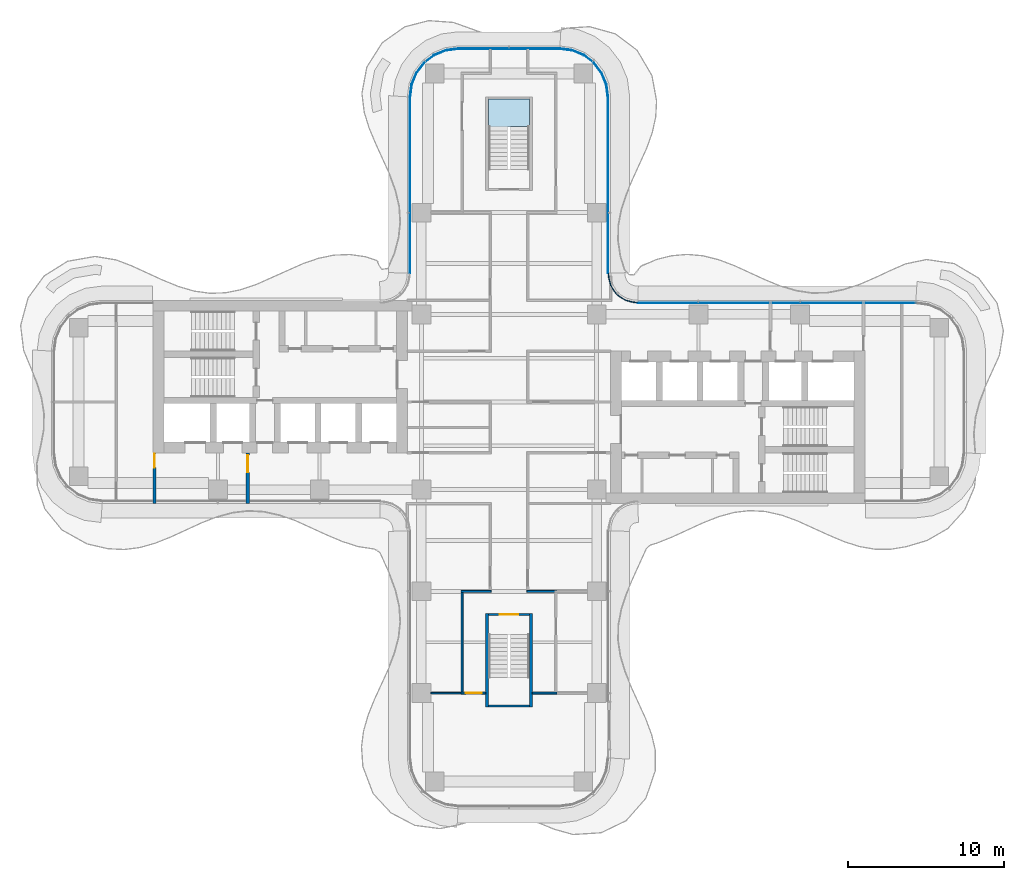
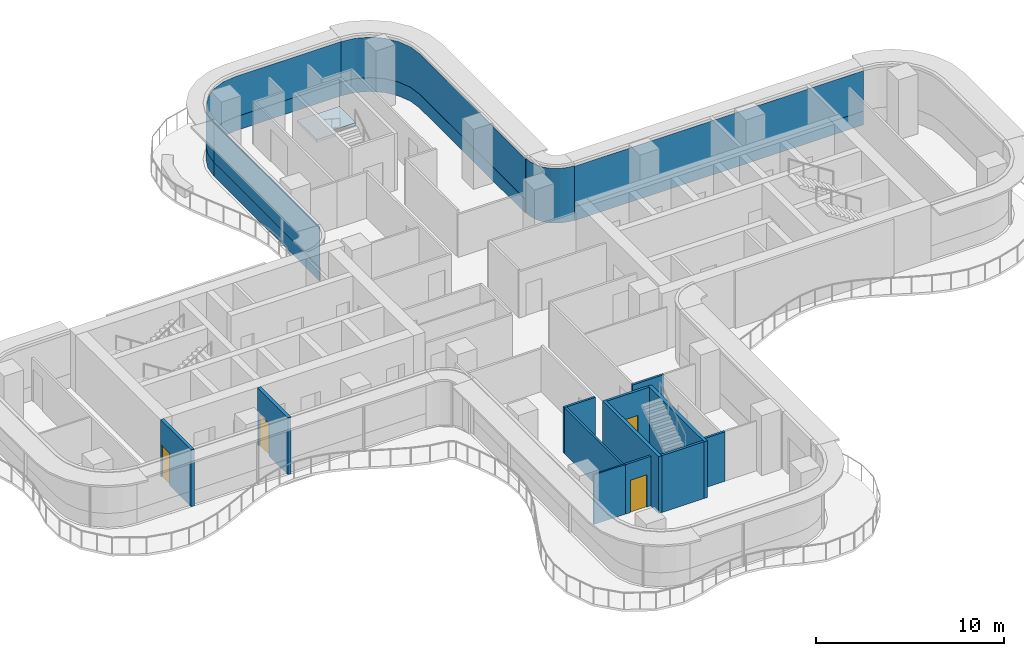
# One storey, part 12 of 18: 12 walls, 9 plates, 4 doors, 1 slab, 4 openings, 6 elements without a shape of their own.
"""IFC4 building model written with IfcOpenShell, lengths in metres."""

from ifc_helpers import new_model, si_unit, direction, frame, frame_2d, origin, place, context, subcontext, project, spatial, polyline, rectangle, outline, extrude, source, transform, mapped, material, layer, layer_set, type_object, element, fill, aggregate, save


model = new_model("IFC4")

# Units and contexts
model_context = context("Model", 3, precision=1e-05, world=origin(), true_north=direction((0.0, 1.0)))
body_context = subcontext(model_context, "Body", "Model", "MODEL_VIEW")
ifc_project = project(units=[si_unit("LENGTHUNIT", "METRE"), si_unit("AREAUNIT", "SQUARE_METRE"), si_unit("VOLUMEUNIT", "CUBIC_METRE"), si_unit("PLANEANGLEUNIT", "RADIAN"), si_unit("MASSUNIT", "GRAM", prefix="KILO")], contexts=[model_context])

# Site, building, storey
site_placement = place(None, origin())
site = spatial("IfcSite", under=ifc_project, at=site_placement, CompositionType="ELEMENT")
building_placement = place(site_placement, origin())
building = spatial("IfcBuilding", under=site, at=building_placement, Name="Trellis Farm Tower", CompositionType="ELEMENT")
storey_placement = place(building_placement, frame((0.0, 0.0, 204.89990234375)))
storey = spatial("IfcBuildingStorey", under=building, at=storey_placement, Name="L45", CompositionType="ELEMENT", Elevation=204.89990234375)

# Stair, slab
ifc_material_1 = material(Name="Concrete C50/60", Category="concrete")
stair_type = type_object("IfcStairType", Name="CORE EXIT STAIR 22 RISERS 177 MM", PredefinedType="HALF_TURN_STAIR", material=ifc_material_1)
placement_1 = place(storey_placement, origin())
stair = element("IfcStair", 1, at=placement_1, inside=storey, type_object=stair_type, Name="Exit stair N", PredefinedType="HALF_TURN_STAIR")
ifc_layer_1 = layer(ifc_material_1, 0.18994140625)
ifc_layer_set_1 = layer_set([ifc_layer_1], Name="CORE STAIR LANDING 190 CONCRETE C50/60")
slab_type = type_object("IfcSlabType", Name="CORE STAIR LANDING 190 CONCRETE C50/60", PredefinedType="LANDING", material=ifc_layer_set_1)
shared_shape_1 = source(origin(), body_context, "Body", "SweptSolid", [
    extrude(outline(polyline([(-0.10009765625, 17.27197265625), (-1.300048828125, 17.27197265625), (-1.300048828125, 17.60009765625), (-1.300048828125, 19.35009765625), (1.300048828125, 19.35009765625), (1.300048828125, 17.60009765625), (1.300048828125, 17.590087890625), (0.10009765625, 17.590087890625), (0.10009765625, 17.60009765625), (-0.10009765625, 17.60009765625), (-0.10009765625, 17.27197265625)])), origin(), (0.0, 0.0, 1.0), 0.190185546875),
])
slab_placement = place(storey_placement, frame((0.0, 0.0, 1.760009765625)))
slab = element("IfcSlab", 2, at=slab_placement, type_object=slab_type, Name="STN landing 1", PredefinedType="LANDING", context=body_context, shape_type="MappedRepresentation", body=[
    mapped(shared_shape_1, transform((0.0, 0.0, 0.0))),
])
aggregate(stair, [slab])

# Curtain wall, plate
ifc_material_2 = material(Name="Aluminium and glass curtain wall", Category="aluminium")
ifc_layer_2 = layer(ifc_material_2, 0.166015625)
ifc_layer_set_2 = layer_set([ifc_layer_2], Name="WINTER GARDEN CURTAIN WALL CW3")
curtain_wall_type_1 = type_object("IfcCurtainWallType", Name="WINTER GARDEN CURTAIN WALL CW3", PredefinedType="NOTDEFINED", material=ifc_layer_set_2)
curtain_wall_1 = element("IfcCurtainWall", 3, at=placement_1, inside=storey, type_object=curtain_wall_type_1, Name="CW3 003", PredefinedType="NOTDEFINED")
ifc_material_3 = material(Name="Clear insulated glass", Category="glass")
ifc_layer_3 = layer(ifc_material_3, 0.0458984375)
ifc_layer_set_3 = layer_set([ifc_layer_3], Name="CW3 GLASS PANEL 46")
plate_type_1 = type_object("IfcPlateType", Name="CW3 GLASS PANEL 46", PredefinedType="CURTAIN_PANEL", material=ifc_layer_set_3)
shared_shape_2 = source(origin(), body_context, "Body", "SweptSolid", [
    extrude(outline(polyline([(8.2275390625, 6.3798828125), (8.0078125, 6.394287109375), (7.89208984375, 6.40966796875), (7.462158203125, 6.52490234375), (7.070556640625, 6.7509765625), (6.7509765625, 7.070556640625), (6.52490234375, 7.462158203125), (6.40966796875, 7.89208984375), (6.394287109375, 8.0078125), (6.3798828125, 8.2275390625), (6.333984375, 8.22607421875), (6.3486328125, 8.003173828125), (6.364501953125, 7.883056640625), (6.48193359375, 7.4443359375), (6.714111328125, 7.04248046875), (7.04248046875, 6.714111328125), (7.4443359375, 6.48193359375), (7.883056640625, 6.364501953125), (8.003173828125, 6.3486328125), (8.22607421875, 6.333984375), (8.2275390625, 6.3798828125)])), origin(), (0.0, 0.0, 1.0), 3.550048828125),
])
plate_1 = element("IfcPlate", 4, at=placement_1, type_object=plate_type_1, Name="PL3 003", PredefinedType="CURTAIN_PANEL", context=body_context, shape_type="MappedRepresentation", body=[
    mapped(shared_shape_2, transform((0.0, 0.0, 0.0))),
])
aggregate(curtain_wall_1, [plate_1])

# Curtain wall, plates
ifc_layer_4 = layer(ifc_material_2, 0.18994140625)
ifc_layer_set_4 = layer_set([ifc_layer_4], Name="RIBBON CURTAIN WALL CW1")
curtain_wall_type_2 = type_object("IfcCurtainWallType", Name="RIBBON CURTAIN WALL CW1", PredefinedType="NOTDEFINED", material=ifc_layer_set_4)
curtain_wall_2 = element("IfcCurtainWall", 5, at=placement_1, inside=storey, type_object=curtain_wall_type_2, Name="CW1 008", PredefinedType="NOTDEFINED")
ifc_layer_5 = layer(ifc_material_3, 0.0400390625)
ifc_layer_set_5 = layer_set([ifc_layer_5], Name="CW1 GLASS PANEL 40")
plate_type_2 = type_object("IfcPlateType", Name="CW1 GLASS PANEL 40", PredefinedType="CURTAIN_PANEL", material=ifc_layer_set_5)
shared_shape_3 = source(origin(), body_context, "Body", "SweptSolid", [
    extrude(outline(polyline([(25.990234375, 6.35009765625), (8.2265625, 6.35009765625), (8.22509765625, 6.31005859375), (25.987548828125, 6.31005859375), (25.990234375, 6.35009765625)])), origin(), (0.0, 0.0, 1.0), 2.619873046875),
])
placement_2 = place(storey_placement, frame((0.0, 0.0, 0.900146484375)))
plate_2 = element("IfcPlate", 6, at=placement_2, type_object=plate_type_2, Name="PL1 008", PredefinedType="CURTAIN_PANEL", context=body_context, shape_type="MappedRepresentation", body=[
    mapped(shared_shape_3, transform((0.0, 0.0, 0.0))),
])
ifc_material_4 = material(Name="Sandstone faced insulated panel", Category="masonry")
ifc_layer_6 = layer(ifc_material_4, 0.050048828125)
ifc_layer_set_6 = layer_set([ifc_layer_6], Name="CW1 STONE SPANDREL PANEL 50")
plate_type_3 = type_object("IfcPlateType", Name="CW1 STONE SPANDREL PANEL 50", PredefinedType="CURTAIN_PANEL", material=ifc_layer_set_6)
shared_shape_4 = source(origin(), body_context, "Body", "SweptSolid", [
    extrude(outline(polyline([(25.990234375, 6.35009765625), (8.2265625, 6.35009765625), (8.224853515625, 6.300048828125), (25.98681640625, 6.300048828125), (25.990234375, 6.35009765625)])), origin(), (0.0, 0.0, 1.0), 0.900146484375),
])
plate_3 = element("IfcPlate", 7, at=placement_1, type_object=plate_type_3, Name="PS1 008", PredefinedType="CURTAIN_PANEL", context=body_context, shape_type="MappedRepresentation", body=[
    mapped(shared_shape_4, transform((0.0, 0.0, 0.0))),
])
aggregate(curtain_wall_2, [plate_2, plate_3])

curtain_wall_3 = element("IfcCurtainWall", 8, at=placement_1, inside=storey, type_object=curtain_wall_type_2, Name="CW1 009", PredefinedType="NOTDEFINED")
shared_shape_5 = source(origin(), body_context, "Body", "SweptSolid", [
    extrude(outline(polyline([(6.35009765625, 8.2265625), (6.35009765625, 19.490234375), (6.2431640625, 20.302001953125), (5.93359375, 21.04931640625), (5.441162109375, 21.691162109375), (4.79931640625, 22.18359375), (4.052001953125, 22.4931640625), (3.240234375, 22.60009765625), (3.237548828125, 22.56005859375), (4.04150390625, 22.4541015625), (4.779296875, 22.148681640625), (5.41259765625, 21.66259765625), (5.898681640625, 21.029296875), (6.2041015625, 20.29150390625), (6.31005859375, 19.487548828125), (6.31005859375, 8.22509765625), (6.35009765625, 8.2265625)])), origin(), (0.0, 0.0, 1.0), 2.619873046875),
])
plate_4 = element("IfcPlate", 9, at=placement_2, type_object=plate_type_2, Name="PL1 009", PredefinedType="CURTAIN_PANEL", context=body_context, shape_type="MappedRepresentation", body=[
    mapped(shared_shape_5, transform((0.0, 0.0, 0.0))),
])
shared_shape_6 = source(origin(), body_context, "Body", "SweptSolid", [
    extrude(outline(polyline([(6.35009765625, 8.2265625), (6.35009765625, 19.490234375), (6.2431640625, 20.302001953125), (5.93359375, 21.04931640625), (5.441162109375, 21.691162109375), (4.79931640625, 22.18359375), (4.052001953125, 22.4931640625), (3.240234375, 22.60009765625), (3.23681640625, 22.550048828125), (4.0390625, 22.4443359375), (4.774169921875, 22.139892578125), (5.405517578125, 21.655517578125), (5.889892578125, 21.024169921875), (6.1943359375, 20.2890625), (6.300048828125, 19.48681640625), (6.300048828125, 8.224853515625), (6.35009765625, 8.2265625)])), origin(), (0.0, 0.0, 1.0), 0.900146484375),
])
plate_5 = element("IfcPlate", 10, at=placement_1, type_object=plate_type_3, Name="PS1 009", PredefinedType="CURTAIN_PANEL", context=body_context, shape_type="MappedRepresentation", body=[
    mapped(shared_shape_6, transform((0.0, 0.0, 0.0))),
])
aggregate(curtain_wall_3, [plate_4, plate_5])

curtain_wall_4 = element("IfcCurtainWall", 11, at=placement_1, inside=storey, type_object=curtain_wall_type_2, Name="CW1 011", PredefinedType="NOTDEFINED")
shared_shape_7 = source(origin(), body_context, "Body", "SweptSolid", [
    extrude(outline(polyline([(-6.35009765625, 19.490234375), (-6.35009765625, 8.2265625), (-6.31005859375, 8.22509765625), (-6.31005859375, 19.487548828125), (-6.35009765625, 19.490234375)])), origin(), (0.0, 0.0, 1.0), 2.619873046875),
])
plate_6 = element("IfcPlate", 12, at=placement_2, type_object=plate_type_2, Name="PL1 011", PredefinedType="CURTAIN_PANEL", context=body_context, shape_type="MappedRepresentation", body=[
    mapped(shared_shape_7, transform((0.0, 0.0, 0.0))),
])
shared_shape_8 = source(origin(), body_context, "Body", "SweptSolid", [
    extrude(outline(polyline([(-6.35009765625, 19.490234375), (-6.35009765625, 8.2265625), (-6.300048828125, 8.224853515625), (-6.300048828125, 19.48681640625), (-6.35009765625, 19.490234375)])), origin(), (0.0, 0.0, 1.0), 0.900146484375),
])
plate_7 = element("IfcPlate", 13, at=placement_1, type_object=plate_type_3, Name="PS1 011", PredefinedType="CURTAIN_PANEL", context=body_context, shape_type="MappedRepresentation", body=[
    mapped(shared_shape_8, transform((0.0, 0.0, 0.0))),
])
aggregate(curtain_wall_4, [plate_6, plate_7])

curtain_wall_5 = element("IfcCurtainWall", 14, at=placement_1, inside=storey, type_object=curtain_wall_type_2, Name="CW1 010", PredefinedType="NOTDEFINED")
shared_shape_9 = source(origin(), body_context, "Body", "SweptSolid", [
    extrude(outline(polyline([(3.240234375, 22.60009765625), (-3.240234375, 22.60009765625), (-4.052001953125, 22.4931640625), (-4.79931640625, 22.18359375), (-5.441162109375, 21.691162109375), (-5.93359375, 21.04931640625), (-6.2431640625, 20.302001953125), (-6.35009765625, 19.490234375), (-6.31005859375, 19.487548828125), (-6.2041015625, 20.29150390625), (-5.898681640625, 21.029296875), (-5.41259765625, 21.66259765625), (-4.779296875, 22.148681640625), (-4.04150390625, 22.4541015625), (-3.237548828125, 22.56005859375), (3.237548828125, 22.56005859375), (3.240234375, 22.60009765625)])), origin(), (0.0, 0.0, 1.0), 2.619873046875),
])
plate_8 = element("IfcPlate", 15, at=placement_2, type_object=plate_type_2, Name="PL1 010", PredefinedType="CURTAIN_PANEL", context=body_context, shape_type="MappedRepresentation", body=[
    mapped(shared_shape_9, transform((0.0, 0.0, 0.0))),
])
shared_shape_10 = source(origin(), body_context, "Body", "SweptSolid", [
    extrude(outline(polyline([(3.240234375, 22.60009765625), (-3.240234375, 22.60009765625), (-4.052001953125, 22.4931640625), (-4.79931640625, 22.18359375), (-5.441162109375, 21.691162109375), (-5.93359375, 21.04931640625), (-6.2431640625, 20.302001953125), (-6.35009765625, 19.490234375), (-6.300048828125, 19.48681640625), (-6.1943359375, 20.2890625), (-5.889892578125, 21.024169921875), (-5.405517578125, 21.655517578125), (-4.774169921875, 22.139892578125), (-4.0390625, 22.4443359375), (-3.23681640625, 22.550048828125), (3.23681640625, 22.550048828125), (3.240234375, 22.60009765625)])), origin(), (0.0, 0.0, 1.0), 0.900146484375),
])
plate_9 = element("IfcPlate", 16, at=placement_1, type_object=plate_type_3, Name="PS1 010", PredefinedType="CURTAIN_PANEL", context=body_context, shape_type="MappedRepresentation", body=[
    mapped(shared_shape_10, transform((0.0, 0.0, 0.0))),
])
aggregate(curtain_wall_5, [plate_8, plate_9])

# Wall, opening, door
ifc_material_5 = material(Name="Masonry blockwork", Category="masonry")
ifc_layer_7 = layer(ifc_material_5, 0.199951171875)
ifc_layer_set_7 = layer_set([ifc_layer_7], Name="FIRE LOBBY PARTITION 200 BLOCKWORK")
wall_type_1 = type_object("IfcWallType", Name="FIRE LOBBY PARTITION 200 BLOCKWORK", PredefinedType="PARTITIONING", material=ifc_layer_set_7)
shared_shape_11 = source(origin(), body_context, "Body", "SweptSolid", [
    extrude(rectangle(XDim=3.25, YDim=0.199951171875, at=frame_2d((1.625, 0.0))), origin(), (0.0, 0.0, 1.0), 3.7001953125),
])
wall_1_placement = place(storey_placement, frame((-16.699951171875, -3.25, 0.0), z_axis=(0.0, 0.0, 1.0), x_axis=(0.0, -1.0, 0.0)))
wall_1 = element("IfcWall", 17, at=wall_1_placement, inside=storey, type_object=wall_type_1, Name="Fire-fighting lobby partition", PredefinedType="PARTITIONING", context=body_context, shape_type="MappedRepresentation", body=[
    mapped(shared_shape_11, transform((0.0, 0.0, 0.0))),
])
shared_shape_12 = source(origin(), body_context, "Body", "SweptSolid", [
    extrude(rectangle(XDim=1.10009765625, YDim=2.10009765625, at=frame_2d((0.550048828125, 1.050048828125))), frame((0.0, 0.110107421875, 0.0), z_axis=(0.0, -1.0, 0.0), x_axis=(1.0, 0.0, 0.0)), (0.0, 0.0, 1.0), 0.22021484375),
])
opening_1_placement = place(wall_1_placement, frame((0.14990234375, 0.0, 0.0)))
opening_1 = element("IfcOpeningElement", 18, at=opening_1_placement, cuts=wall_1, Name="Opening DC93", PredefinedType="OPENING", context=body_context, shape_type="MappedRepresentation", body=[
    mapped(shared_shape_12, transform((0.0, 0.0, 0.0))),
])
ifc_material_6 = material(Name="Steel", Category="steel")
door_type_1 = type_object("IfcDoorType", Name="CORE FIRE DOOR 1100 X 2100", OperationType="NOTDEFINED", PredefinedType="DOOR", material=ifc_material_6)
shared_shape_13 = source(origin(), body_context, "Body", "SweptSolid", [
    extrude(rectangle(XDim=1.10009765625, YDim=2.10009765625, at=frame_2d((0.550048828125, 1.050048828125))), frame((0.0, 0.02490234375, 0.0), z_axis=(0.0, -1.0, 0.0), x_axis=(1.0, 0.0, 0.0)), (0.0, 0.0, 1.0), 0.050048828125),
])
door_1_placement = place(opening_1_placement, origin())
door_1 = element("IfcDoor", 19, at=door_1_placement, inside=storey, type_object=door_type_1, Name="Core door", OperationType="SINGLE_SWING_RIGHT", OverallHeight=2.10009765625, OverallWidth=1.10009765625, PredefinedType="DOOR", context=body_context, shape_type="MappedRepresentation", body=[
    mapped(shared_shape_13, transform((0.0, 0.0, 0.0))),
])
fill(opening_1, door_1)

wall_2_placement = place(storey_placement, frame((-22.64990234375, -3.25, 0.0), z_axis=(0.0, 0.0, 1.0), x_axis=(0.0, -1.0, 0.0)))
wall_2 = element("IfcWall", 20, at=wall_2_placement, inside=storey, type_object=wall_type_1, Name="Fire-fighting lobby partition", PredefinedType="PARTITIONING", context=body_context, shape_type="MappedRepresentation", body=[
    mapped(shared_shape_11, transform((0.0, 0.0, 0.0))),
])
shared_shape_14 = source(origin(), body_context, "Body", "SweptSolid", [
    extrude(rectangle(XDim=0.89990234375, YDim=2.10009765625, at=frame_2d((0.449951171875, 1.050048828125))), frame((0.0, 0.110107421875, 0.0), z_axis=(0.0, -1.0, 0.0), x_axis=(1.0, 0.0, 0.0)), (0.0, 0.0, 1.0), 0.22021484375),
])
opening_2_placement = place(wall_2_placement, frame((0.050048828125, 0.0, 0.0)))
opening_2 = element("IfcOpeningElement", 21, at=opening_2_placement, cuts=wall_2, Name="Opening DC94", PredefinedType="OPENING", context=body_context, shape_type="MappedRepresentation", body=[
    mapped(shared_shape_14, transform((0.0, 0.0, 0.0))),
])
door_type_2 = type_object("IfcDoorType", Name="CORE FIRE DOOR 900 X 2100", OperationType="NOTDEFINED", PredefinedType="DOOR", material=ifc_material_6)
shared_shape_15 = source(origin(), body_context, "Body", "SweptSolid", [
    extrude(rectangle(XDim=0.89990234375, YDim=2.10009765625, at=frame_2d((0.449951171875, 1.050048828125))), frame((0.0, 0.02490234375, 0.0), z_axis=(0.0, -1.0, 0.0), x_axis=(1.0, 0.0, 0.0)), (0.0, 0.0, 1.0), 0.050048828125),
])
door_2_placement = place(opening_2_placement, origin())
door_2 = element("IfcDoor", 22, at=door_2_placement, inside=storey, type_object=door_type_2, Name="Core door", OperationType="SINGLE_SWING_RIGHT", OverallHeight=2.10009765625, OverallWidth=0.89990234375, PredefinedType="DOOR", context=body_context, shape_type="MappedRepresentation", body=[
    mapped(shared_shape_15, transform((0.0, 0.0, 0.0))),
])
fill(opening_2, door_2)

# Walls
ifc_material_7 = material(Name="Concrete C70/85", Category="concrete")
ifc_layer_8 = layer(ifc_material_7, 0.199951171875)
ifc_layer_set_8 = layer_set([ifc_layer_8], Name="CORE STAIR ENCLOSURE WALL 200 CONCRETE C70/85")
wall_type_2 = type_object("IfcWallType", Name="CORE STAIR ENCLOSURE WALL 200 CONCRETE C70/85", PredefinedType="SHEAR", material=ifc_layer_set_8)
shared_shape_16 = source(origin(), body_context, "Body", "SweptSolid", [
    extrude(rectangle(XDim=6.0, YDim=0.199951171875, at=frame_2d((3.0, 0.0))), origin(), (0.0, 0.0, 1.0), 3.7001953125),
])
for number, where, z_axis, x_axis, name in (
    (23, (1.39990234375, -13.5, 0.0), (0.0, 0.0, 1.0), (0.0, -1.0, 0.0), "Stair enclosure wall"),
    (24, (-1.39990234375, -13.5, 0.0), (0.0, 0.0, 1.0), (0.0, -1.0, 0.0), "Stair enclosure wall"),
):
    element("IfcWall", number, at=place(storey_placement, frame(where, z_axis=z_axis, x_axis=x_axis)), inside=storey, type_object=wall_type_2, Name=name, PredefinedType="SHEAR", context=body_context, shape_type="MappedRepresentation", body=[
        mapped(shared_shape_16, transform((0.0, 0.0, 0.0))),
    ])

# Wall, opening, door
ifc_layer_9 = layer(ifc_material_7, 0.14990234375)
ifc_layer_set_9 = layer_set([ifc_layer_9], Name="CORE STAIR ENCLOSURE WALL 150 CONCRETE C70/85")
wall_type_3 = type_object("IfcWallType", Name="CORE STAIR ENCLOSURE WALL 150 CONCRETE C70/85", PredefinedType="SHEAR", material=ifc_layer_set_9)
shared_shape_17 = source(origin(), body_context, "Body", "SweptSolid", [
    extrude(rectangle(XDim=2.60009765625, YDim=0.14990234375, at=frame_2d((1.300048828125, 0.0))), origin(), (0.0, 0.0, 1.0), 3.7001953125),
])
wall_3_placement = place(storey_placement, frame((1.300048828125, -13.574951171875, 0.0), z_axis=(0.0, 0.0, 1.0), x_axis=(-1.0, 0.0, 0.0)))
wall_3 = element("IfcWall", 25, at=wall_3_placement, inside=storey, type_object=wall_type_3, Name="Stair enclosure wall", PredefinedType="SHEAR", context=body_context, shape_type="MappedRepresentation", body=[
    mapped(shared_shape_17, transform((0.0, 0.0, 0.0))),
])
shared_shape_18 = source(origin(), body_context, "Body", "SweptSolid", [
    extrude(rectangle(XDim=1.199951171875, YDim=2.10009765625, at=frame_2d((0.60009765625, 1.050048828125))), frame((0.0, 0.0849609375, 0.0), z_axis=(0.0, -1.0, 0.0), x_axis=(1.0, 0.0, 0.0)), (0.0, 0.0, 1.0), 0.169921875),
])
opening_3_placement = place(wall_3_placement, frame((0.699951171875, 0.0, 0.0)))
opening_3 = element("IfcOpeningElement", 26, at=opening_3_placement, cuts=wall_3, Name="Opening DC174", PredefinedType="OPENING", context=body_context, shape_type="MappedRepresentation", body=[
    mapped(shared_shape_18, transform((0.0, 0.0, 0.0))),
])
door_type_3 = type_object("IfcDoorType", Name="CORE FIRE DOOR 1200 X 2100", OperationType="NOTDEFINED", PredefinedType="DOOR", material=ifc_material_6)
shared_shape_19 = source(origin(), body_context, "Body", "SweptSolid", [
    extrude(rectangle(XDim=1.199951171875, YDim=2.10009765625, at=frame_2d((0.60009765625, 1.050048828125))), frame((0.0, 0.02490234375, 0.0), z_axis=(0.0, -1.0, 0.0), x_axis=(1.0, 0.0, 0.0)), (0.0, 0.0, 1.0), 0.050048828125),
])
door_3_placement = place(opening_3_placement, origin())
door_3 = element("IfcDoor", 27, at=door_3_placement, inside=storey, type_object=door_type_3, Name="Core door", OperationType="SINGLE_SWING_RIGHT", OverallHeight=2.10009765625, OverallWidth=1.199951171875, PredefinedType="DOOR", context=body_context, shape_type="MappedRepresentation", body=[
    mapped(shared_shape_19, transform((0.0, 0.0, 0.0))),
])
fill(opening_3, door_3)

# Walls
wall_4_placement = place(storey_placement, frame((1.300048828125, -19.425048828125, 0.0), z_axis=(0.0, 0.0, 1.0), x_axis=(-1.0, 0.0, 0.0)))
element("IfcWall", 28, at=wall_4_placement, inside=storey, type_object=wall_type_3, Name="Stair enclosure wall", PredefinedType="SHEAR", context=body_context, shape_type="MappedRepresentation", body=[
    mapped(shared_shape_17, transform((0.0, 0.0, 0.0))),
])
ifc_material_8 = material(Name="Plasterboard on steel studs", Category="steel")
ifc_layer_10 = layer(ifc_material_8, 0.10009765625)
ifc_layer_set_10 = layer_set([ifc_layer_10], Name="PARTITION 100 STUD EI 30")
wall_type_4 = type_object("IfcWallType", Name="PARTITION 100 STUD EI 30", PredefinedType="PARTITIONING", material=ifc_layer_set_10)
shared_shape_20 = source(origin(), body_context, "Body", "SweptSolid", [
    extrude(rectangle(XDim=2.0625, YDim=0.10009765625, at=frame_2d((1.03125, 0.0))), origin(), (0.0, 0.0, 1.0), 3.22314453125),
])
wall_5_placement = place(storey_placement, frame((-5.0, -18.60009765625, 0.0), z_axis=(0.0, 0.0, 1.0), x_axis=(1.0, 0.0, 0.0)))
element("IfcWall", 29, at=wall_5_placement, inside=storey, type_object=wall_type_4, Name="Partition PW2", PredefinedType="PARTITIONING", context=body_context, shape_type="MappedRepresentation", body=[
    mapped(shared_shape_20, transform((0.0, 0.0, 0.0))),
])

# Wall, opening, door
ifc_material_9 = material(Name="Plasterboard on steel studs, mineral wool", Category="steel")
ifc_layer_11 = layer(ifc_material_9, 0.125)
ifc_layer_set_11 = layer_set([ifc_layer_11], Name="PARTITION 125 STUD EI 60")
wall_type_5 = type_object("IfcWallType", Name="PARTITION 125 STUD EI 60", PredefinedType="PARTITIONING", material=ifc_layer_set_11)
shared_shape_21 = source(origin(), body_context, "Body", "SweptSolid", [
    extrude(rectangle(XDim=1.5625, YDim=0.125, at=frame_2d((0.78125, 0.0))), origin(), (0.0, 0.0, 1.0), 3.22314453125),
])
wall_6_placement = place(storey_placement, frame((-1.5, -18.60009765625, 0.0), z_axis=(0.0, 0.0, 1.0), x_axis=(-1.0, 0.0, 0.0)))
wall_6 = element("IfcWall", 30, at=wall_6_placement, inside=storey, type_object=wall_type_5, Name="Partition PW1", PredefinedType="PARTITIONING", context=body_context, shape_type="MappedRepresentation", body=[
    mapped(shared_shape_21, transform((0.0, 0.0, 0.0))),
])
shared_shape_22 = source(origin(), body_context, "Body", "SweptSolid", [
    extrude(rectangle(XDim=1.0, YDim=2.10009765625, at=frame_2d((0.5, 1.050048828125))), frame((0.0, 0.072509765625, 0.0), z_axis=(0.0, -1.0, 0.0), x_axis=(1.0, 0.0, 0.0)), (0.0, 0.0, 1.0), 0.14501953125),
])
opening_4_placement = place(wall_6_placement, frame((0.25, 0.0, 0.0)))
opening_4 = element("IfcOpeningElement", 31, at=opening_4_placement, cuts=wall_6, Name="Opening D101", PredefinedType="OPENING", context=body_context, shape_type="MappedRepresentation", body=[
    mapped(shared_shape_22, transform((0.0, 0.0, 0.0))),
])
ifc_material_10 = material(Name="Fire-rated timber door leaf in a hollow metal frame", Category="wood")
door_type_4 = type_object("IfcDoorType", Name="DOOR 1000x2100 FD30S", OperationType="NOTDEFINED", PredefinedType="DOOR", material=ifc_material_10)
shared_shape_23 = source(origin(), body_context, "Body", "SweptSolid", [
    extrude(rectangle(XDim=1.0, YDim=2.10009765625, at=frame_2d((0.5, 1.050048828125))), frame((0.0, 0.02490234375, 0.0), z_axis=(0.0, -1.0, 0.0), x_axis=(1.0, 0.0, 0.0)), (0.0, 0.0, 1.0), 0.050048828125),
])
door_4_placement = place(opening_4_placement, origin())
door_4 = element("IfcDoor", 32, at=door_4_placement, inside=storey, type_object=door_type_4, Name="Door D101", OperationType="SINGLE_SWING_LEFT", OverallHeight=2.10009765625, OverallWidth=1.0, PredefinedType="DOOR", context=body_context, shape_type="MappedRepresentation", body=[
    mapped(shared_shape_23, transform((0.0, 0.0, 0.0))),
])
fill(opening_4, door_4)

# Walls
wall_7_placement = place(storey_placement, frame((3.0625, -18.60009765625, 0.0), z_axis=(0.0, 0.0, 1.0), x_axis=(-1.0, 0.0, 0.0)))
element("IfcWall", 33, at=wall_7_placement, inside=storey, type_object=wall_type_5, Name="Partition PW1", PredefinedType="PARTITIONING", context=body_context, shape_type="MappedRepresentation", body=[
    mapped(shared_shape_21, transform((0.0, 0.0, 0.0))),
])
shared_shape_24 = source(origin(), body_context, "Body", "SweptSolid", [
    extrude(rectangle(XDim=1.925048828125, YDim=0.125, at=frame_2d((0.96240234375, 0.0))), origin(), (0.0, 0.0, 1.0), 2.99658203125),
])
for number, where, z_axis, x_axis, name in (
    (34, (-3.0625, -12.10009765625, 0.0), (0.0, 0.0, 1.0), (1.0, 0.0, 0.0), "Partition PW1"),
    (35, (1.137451171875, -12.10009765625, 0.0), (0.0, 0.0, 1.0), (1.0, 0.0, 0.0), "Partition PW1"),
):
    element("IfcWall", number, at=place(storey_placement, frame(where, z_axis=z_axis, x_axis=x_axis)), inside=storey, type_object=wall_type_5, Name=name, PredefinedType="PARTITIONING", context=body_context, shape_type="MappedRepresentation", body=[
        mapped(shared_shape_24, transform((0.0, 0.0, 0.0))),
    ])
shared_shape_25 = source(origin(), body_context, "Body", "SweptSolid", [
    extrude(rectangle(XDim=6.387451171875, YDim=0.125, at=frame_2d((3.19384765625, 0.0))), origin(), (0.0, 0.0, 1.0), 2.99658203125),
])
wall_8_placement = place(storey_placement, frame((-3.0, -18.550048828125, 0.0), z_axis=(0.0, 0.0, 1.0), x_axis=(0.0, 1.0, 0.0)))
element("IfcWall", 36, at=wall_8_placement, inside=storey, type_object=wall_type_5, Name="Partition PW1", PredefinedType="PARTITIONING", context=body_context, shape_type="MappedRepresentation", body=[
    mapped(shared_shape_25, transform((0.0, 0.0, 0.0))),
])

save(model, "model.ifc")
